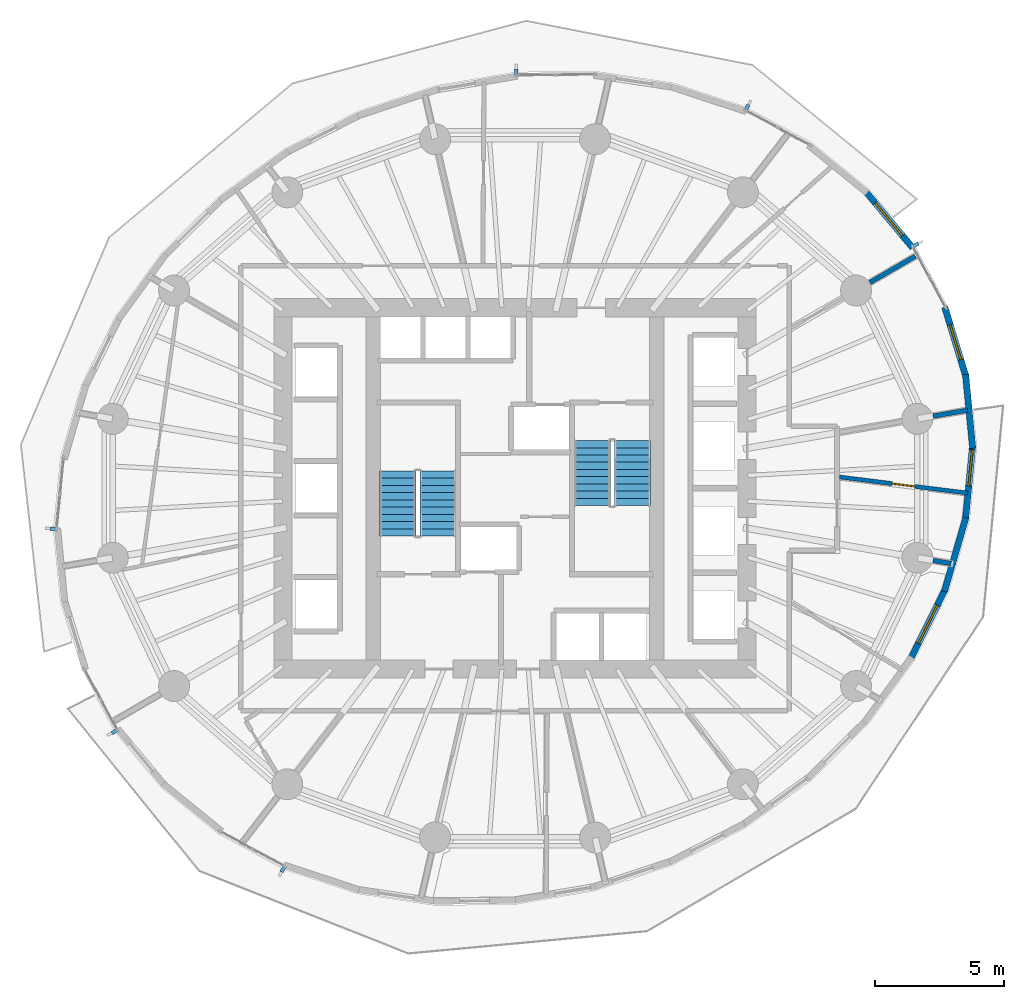
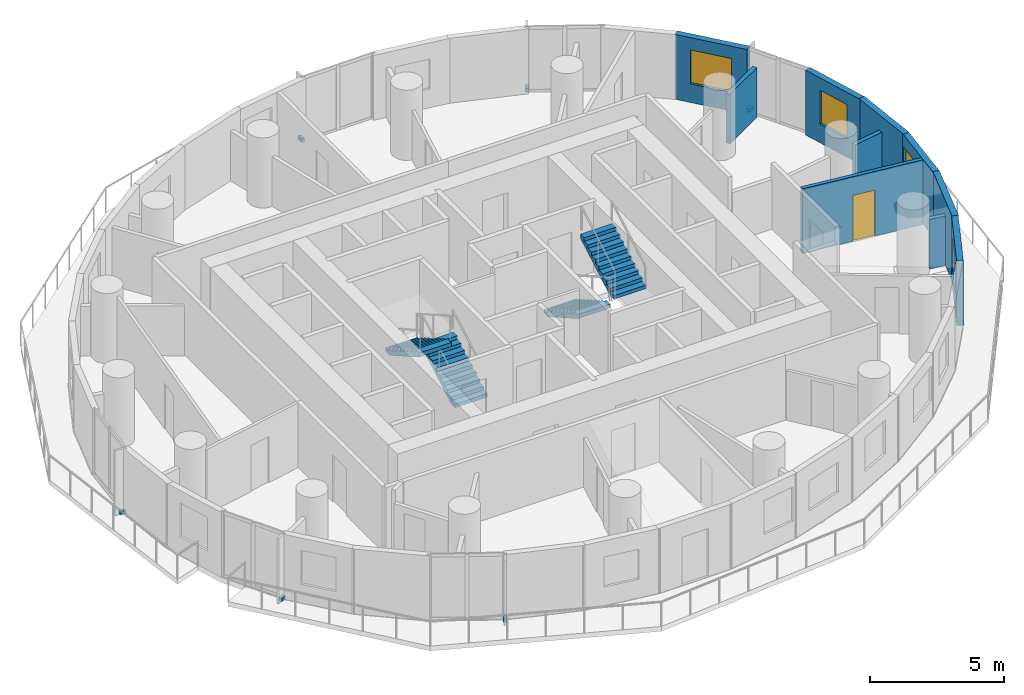
# One storey, part 10 of 14: 10 walls, 6 discrete accessories, 4 stair flights, 4 windows, 1 door, 5 openings, 2 elements without a shape of their own.
"""IFC4 building model written with IfcOpenShell, lengths in metres."""

from ifc_helpers import new_model, si_unit, direction, frame, frame_2d, origin, origin_2d, place, context, subcontext, project, spatial, polyline, rectangle, outline, extrude, material, layer, layer_set, type_object, element, fill, aggregate, save


model = new_model("IFC4")

# Units and contexts
model_context = context("Model", 3, precision=1e-05, world=origin(), true_north=direction((0.0, 1.0)))
body_context = subcontext(model_context, "Body", "Model", "MODEL_VIEW")
ifc_project = project(units=[si_unit("LENGTHUNIT", "METRE"), si_unit("AREAUNIT", "SQUARE_METRE"), si_unit("VOLUMEUNIT", "CUBIC_METRE"), si_unit("PLANEANGLEUNIT", "RADIAN"), si_unit("MASSUNIT", "GRAM", prefix="KILO")], contexts=[model_context])

# Site, building, storey
site_placement = place(None, origin())
site = spatial("IfcSite", under=ifc_project, at=site_placement, CompositionType="ELEMENT")
building_placement = place(site_placement, origin())
building = spatial("IfcBuilding", under=site, at=building_placement, Name="Veldorim Arch Residences", CompositionType="ELEMENT")
storey_placement = place(building_placement, frame((0.0, 0.0, 99.679931640625)))
storey = spatial("IfcBuildingStorey", under=building, at=storey_placement, Name="L29", CompositionType="ELEMENT", Elevation=99.679931640625)

# Walls
ifc_material_1 = material(Name="Lightweight Masonry Block & Gypsum", Category="masonry")
ifc_layer_1 = layer(ifc_material_1, 0.179931640625, Name="Compartment & Corridor Fire-Rated Party Wall 180")
ifc_layer_set_1 = layer_set([ifc_layer_1], Name="Lightweight Masonry Block & Gypsum")
wall_type_1 = type_object("IfcWallType", Name="Compartment & Corridor Fire-Rated Party Wall 180", PredefinedType="PARTITIONING", material=ifc_layer_set_1)
wall_1_placement = place(storey_placement, frame((48.20556640625, 26.797607421875, 0.0), z_axis=(0.0, 0.0, 1.0), x_axis=(0.98540615772, 0.170219576807, 0.0)))
element("IfcWall", 1, at=wall_1_placement, inside=storey, type_object=wall_type_1, Name="L29 interior wall WL-PIER-L29-01", PredefinedType="PARTITIONING", context=body_context, shape_type="SweptSolid", body=[
    extrude(rectangle(XDim=1.359619140625, YDim=0.179931640625, at=frame_2d((0.6796875, 0.0))), origin(), (0.0, 0.0, 1.0), 2.2607421875),
])
wall_2_placement = place(storey_placement, frame((45.756591796875, 31.977783203125, 0.0), z_axis=(0.0, 0.0, 1.0), x_axis=(0.865025978628, 0.501727073516, 0.0)))
element("IfcWall", 2, at=wall_2_placement, inside=storey, type_object=wall_type_1, Name="L29 interior wall WL-PIER-L29-02", PredefinedType="PARTITIONING", context=body_context, shape_type="SweptSolid", body=[
    extrude(rectangle(XDim=2.033447265625, YDim=0.179931640625, at=frame_2d((1.0166015625, 0.0))), origin(), (0.0, 0.0, 1.0), 2.2607421875),
])
wall_3_placement = place(storey_placement, frame((48.20556640625, 21.202392578125, 0.0), z_axis=(0.0, 0.0, 1.0), x_axis=(0.985420399327, -0.17013711115, 0.0)))
element("IfcWall", 3, at=wall_3_placement, inside=storey, type_object=wall_type_1, Name="L29 interior wall WL-PIER-L29-16", PredefinedType="PARTITIONING", context=body_context, shape_type="SweptSolid", body=[
    extrude(rectangle(XDim=0.710205078125, YDim=0.179931640625, at=frame_2d((0.35498046875, 0.0))), origin(), (0.0, 0.0, 1.0), 2.2607421875),
])

# Wall, opening, window
ifc_material_2 = material(Name="Precast concrete C40/50", Category="concrete")
ifc_layer_2 = layer(ifc_material_2, 0.25, Name="Tower Terracotta Spandrel & Pier Wall 250")
ifc_layer_set_2 = layer_set([ifc_layer_2], Name="Precast concrete C40/50")
wall_type_2 = type_object("IfcWallType", Name="Tower Terracotta Spandrel & Pier Wall 250", PredefinedType="SOLIDWALL", material=ifc_layer_set_2)
wall_4_placement = place(storey_placement, frame((45.571533203125, 35.534912109375, 0.0), z_axis=(0.0, 0.0, 1.0), x_axis=(0.640518566271, -0.76794268423, 0.0)))
wall_4 = element("IfcWall", 4, at=wall_4_placement, inside=storey, type_object=wall_type_2, Name="L29 terracotta facade wall 02", PredefinedType="SOLIDWALL", context=body_context, shape_type="SweptSolid", body=[
    extrude(rectangle(XDim=2.8740234375, YDim=0.25, at=frame_2d((1.43701171875, 0.0))), origin(), (0.0, 0.0, 1.0), 2.9599609375),
])
opening_1_placement = place(wall_4_placement, frame((0.612060546875, 0.0, 0.85009765625)))
opening_1 = element("IfcOpeningElement", 5, at=opening_1_placement, cuts=wall_4, Name="Opening WN-03", PredefinedType="OPENING", context=body_context, shape_type="SweptSolid", body=[
    extrude(rectangle(XDim=1.64990234375, YDim=1.550048828125, at=frame_2d((0.824951171875, 0.77490234375))), frame((0.0, 0.135009765625, 0.0), z_axis=(0.0, -1.0, 0.0), x_axis=(1.0, 0.0, 0.0)), (0.0, 0.0, 1.0), 0.27001953125),
])
ifc_material_3 = material(Name="Laminated Low-E Glass", Category="glass")
window_type_1 = type_object("IfcWindowType", Name="Residential Wide Window 1650x1550", PartitioningType="SINGLE_PANEL", PredefinedType="WINDOW", material=ifc_material_3)
window_1_placement = place(opening_1_placement, origin())
window_1 = element("IfcWindow", 6, at=window_1_placement, inside=storey, type_object=window_type_1, Name="L29 solar-control facade window 02", OverallHeight=1.550048828125, OverallWidth=1.64990234375, PartitioningType="SINGLE_PANEL", PredefinedType="WINDOW", context=body_context, shape_type="SweptSolid", body=[
    extrude(rectangle(XDim=1.64990234375, YDim=1.550048828125, at=frame_2d((0.824951171875, 0.77490234375))), frame((0.0, 0.030029296875, 0.0), z_axis=(0.0, -1.0, 0.0), x_axis=(1.0, 0.0, 0.0)), (0.0, 0.0, 1.0), 0.06005859375),
])
fill(opening_1, window_1)

wall_5_placement = place(storey_placement, frame((48.68798828125, 20.100830078125, 0.0), z_axis=(0.0, 0.0, 1.0), x_axis=(-0.443988069997, -0.896032696781, 0.0)))
wall_5 = element("IfcWall", 7, at=wall_5_placement, inside=storey, type_object=wall_type_2, Name="L29 terracotta facade wall 32", PredefinedType="SOLIDWALL", context=body_context, shape_type="SweptSolid", body=[
    extrude(rectangle(XDim=3.060546875, YDim=0.25, at=frame_2d((1.5302734375, 0.0))), origin(), (0.0, 0.0, 1.0), 2.9599609375),
])
opening_2_placement = place(wall_5_placement, frame((0.705078125, 0.0, 0.85009765625)))
opening_2 = element("IfcOpeningElement", 8, at=opening_2_placement, cuts=wall_5, Name="Opening WN-03", PredefinedType="OPENING", context=body_context, shape_type="SweptSolid", body=[
    extrude(rectangle(XDim=1.64990234375, YDim=1.550048828125, at=frame_2d((0.824951171875, 0.77490234375))), frame((0.0, 0.135009765625, 0.0), z_axis=(0.0, -1.0, 0.0), x_axis=(1.0, 0.0, 0.0)), (0.0, 0.0, 1.0), 0.27001953125),
])
window_2_placement = place(opening_2_placement, origin())
window_2 = element("IfcWindow", 9, at=window_2_placement, inside=storey, type_object=window_type_1, Name="L29 solar-control facade window 32", OverallHeight=1.550048828125, OverallWidth=1.64990234375, PartitioningType="SINGLE_PANEL", PredefinedType="WINDOW", context=body_context, shape_type="SweptSolid", body=[
    extrude(rectangle(XDim=1.64990234375, YDim=1.550048828125, at=frame_2d((0.824951171875, 0.77490234375))), frame((0.0, 0.030029296875, 0.0), z_axis=(0.0, -1.0, 0.0), x_axis=(1.0, 0.0, 0.0)), (0.0, 0.0, 1.0), 0.06005859375),
])
fill(opening_2, window_2)

# Wall
wall_6_placement = place(storey_placement, frame((49.4814453125, 22.866455078125, 0.0), z_axis=(0.0, 0.0, 1.0), x_axis=(-0.279152874041, -0.960246672952, 0.0)))
element("IfcWall", 10, at=wall_6_placement, inside=storey, type_object=wall_type_2, Name="L29 terracotta facade wall 33", PredefinedType="SOLIDWALL", context=body_context, shape_type="SweptSolid", body=[
    extrude(rectangle(XDim=2.988525390625, YDim=0.25, at=frame_2d((1.494140625, 0.0))), origin(), (0.0, 0.0, 1.0), 2.9599609375),
])

# Wall, opening, window
wall_7_placement = place(storey_placement, frame((49.743408203125, 25.665283203125, 0.0), z_axis=(0.0, 0.0, 1.0), x_axis=(-0.096873982201, -0.995296655059, 0.0)))
wall_7 = element("IfcWall", 11, at=wall_7_placement, inside=storey, type_object=wall_type_2, Name="L29 terracotta facade wall 34", PredefinedType="SOLIDWALL", context=body_context, shape_type="SweptSolid", body=[
    extrude(rectangle(XDim=2.92333984375, YDim=0.25, at=frame_2d((1.461669921875, 0.0))), origin(), (0.0, 0.0, 1.0), 2.9599609375),
])
opening_3_placement = place(wall_7_placement, frame((0.175048828125, 0.0, 0.85009765625)))
opening_3 = element("IfcOpeningElement", 12, at=opening_3_placement, cuts=wall_7, Name="Opening WN-02", PredefinedType="OPENING", context=body_context, shape_type="SweptSolid", body=[
    extrude(rectangle(XDim=1.39990234375, YDim=1.550048828125, at=frame_2d((0.699951171875, 0.77490234375))), frame((0.0, 0.135009765625, 0.0), z_axis=(0.0, -1.0, 0.0), x_axis=(1.0, 0.0, 0.0)), (0.0, 0.0, 1.0), 0.27001953125),
])
ifc_material_4 = material(Name="Laminated Low-E Glass", Category="glass")
window_type_2 = type_object("IfcWindowType", Name="Residential Casement Window 1400x1550", PartitioningType="SINGLE_PANEL", PredefinedType="WINDOW", material=ifc_material_4)
window_3_placement = place(opening_3_placement, origin())
window_3 = element("IfcWindow", 13, at=window_3_placement, inside=storey, type_object=window_type_2, Name="L29 solar-control facade window 34", OverallHeight=1.550048828125, OverallWidth=1.39990234375, PartitioningType="SINGLE_PANEL", PredefinedType="WINDOW", context=body_context, shape_type="SweptSolid", body=[
    extrude(rectangle(XDim=1.39990234375, YDim=1.550048828125, at=frame_2d((0.699951171875, 0.77490234375))), frame((0.0, 0.030029296875, 0.0), z_axis=(0.0, -1.0, 0.0), x_axis=(1.0, 0.0, 0.0)), (0.0, 0.0, 1.0), 0.06005859375),
])
fill(opening_3, window_3)

# Wall
wall_8_placement = place(storey_placement, frame((49.466552734375, 28.412109375, 0.0), z_axis=(0.0, 0.0, 1.0), x_axis=(0.096332339466, -0.995349225334, 0.0)))
element("IfcWall", 14, at=wall_8_placement, inside=storey, type_object=wall_type_2, Name="L29 terracotta facade wall 35", PredefinedType="SOLIDWALL", context=body_context, shape_type="SweptSolid", body=[
    extrude(rectangle(XDim=2.8740234375, YDim=0.25, at=frame_2d((1.43701171875, 0.0))), origin(), (0.0, 0.0, 1.0), 2.9599609375),
])

# Wall, opening, window
wall_9_placement = place(storey_placement, frame((48.659912109375, 31.0244140625, 0.0), z_axis=(0.0, 0.0, 1.0), x_axis=(0.291144558409, -0.956679071637, 0.0)))
wall_9 = element("IfcWall", 15, at=wall_9_placement, inside=storey, type_object=wall_type_2, Name="L29 terracotta facade wall 36", PredefinedType="SOLIDWALL", context=body_context, shape_type="SweptSolid", body=[
    extrude(rectangle(XDim=2.84765625, YDim=0.25, at=frame_2d((1.423828125, 0.0))), origin(), (0.0, 0.0, 1.0), 2.9599609375),
])
opening_4_placement = place(wall_9_placement, frame((0.72412109375, 0.0, 0.85009765625)))
opening_4 = element("IfcOpeningElement", 16, at=opening_4_placement, cuts=wall_9, Name="Opening WN-02", PredefinedType="OPENING", context=body_context, shape_type="SweptSolid", body=[
    extrude(rectangle(XDim=1.39990234375, YDim=1.550048828125, at=frame_2d((0.699951171875, 0.77490234375))), frame((0.0, 0.135009765625, 0.0), z_axis=(0.0, -1.0, 0.0), x_axis=(1.0, 0.0, 0.0)), (0.0, 0.0, 1.0), 0.27001953125),
])
window_4_placement = place(opening_4_placement, origin())
window_4 = element("IfcWindow", 17, at=window_4_placement, inside=storey, type_object=window_type_2, Name="L29 solar-control facade window 36", OverallHeight=1.550048828125, OverallWidth=1.39990234375, PartitioningType="SINGLE_PANEL", PredefinedType="WINDOW", context=body_context, shape_type="SweptSolid", body=[
    extrude(rectangle(XDim=1.39990234375, YDim=1.550048828125, at=frame_2d((0.699951171875, 0.77490234375))), frame((0.0, 0.030029296875, 0.0), z_axis=(0.0, -1.0, 0.0), x_axis=(1.0, 0.0, 0.0)), (0.0, 0.0, 1.0), 0.06005859375),
])
fill(opening_4, window_4)

# Wall, opening, door
ifc_material_5 = material(Name="Moisture-Resistant Gypsum & Stud", Category="gypsum")
ifc_layer_3 = layer(ifc_material_5, 0.159912109375, Name="Wet-Area Moisture-Resistant Plumbing Wall 160")
ifc_layer_set_3 = layer_set([ifc_layer_3], Name="Moisture-Resistant Gypsum & Stud")
wall_type_3 = type_object("IfcWallType", Name="Wet-Area Moisture-Resistant Plumbing Wall 160", PredefinedType="PLUMBINGWALL", material=ifc_layer_set_3)
wall_10_placement = place(storey_placement, frame((44.5791015625, 24.43798828125, 0.0), z_axis=(0.0, 0.0, 1.0), x_axis=(0.99219440442, -0.124700697023, 0.0)))
wall_10 = element("IfcWall", 18, at=wall_10_placement, inside=storey, type_object=wall_type_3, Name="L29 interior wall WL-RES-L29-017", PredefinedType="PLUMBINGWALL", context=body_context, shape_type="SweptSolid", body=[
    extrude(rectangle(XDim=5.008056640625, YDim=0.159912109375, at=frame_2d((2.50390625, 0.0))), origin(), (0.0, 0.0, 1.0), 2.955078125),
])
opening_5_placement = place(wall_10_placement, frame((2.053955078125, 0.0, 0.0)))
opening_5 = element("IfcOpeningElement", 19, at=opening_5_placement, cuts=wall_10, Name="Opening DR-WC", PredefinedType="OPENING", context=body_context, shape_type="SweptSolid", body=[
    extrude(rectangle(XDim=0.89990234375, YDim=2.10009765625, at=frame_2d((0.449951171875, 1.050048828125))), frame((0.0, 0.08984375, 0.0), z_axis=(0.0, -1.0, 0.0), x_axis=(1.0, 0.0, 0.0)), (0.0, 0.0, 1.0), 0.179931640625),
])
ifc_material_6 = material(Name="Laminate Timber", Category="wood")
door_type = type_object("IfcDoorType", Name="Bathroom & Accessible WC Moisture-Sealed Door 900x2100", OperationType="SINGLE_SWING_LEFT", PredefinedType="DOOR", material=ifc_material_6)
door_placement = place(opening_5_placement, origin())
door = element("IfcDoor", 20, at=door_placement, inside=storey, type_object=door_type, Name="L29 interior door DR-RES-L29-005", OperationType="SINGLE_SWING_LEFT", OverallHeight=2.10009765625, OverallWidth=0.89990234375, PredefinedType="DOOR", context=body_context, shape_type="SweptSolid", body=[
    extrude(rectangle(XDim=0.89990234375, YDim=2.10009765625, at=frame_2d((0.449951171875, 1.050048828125))), frame((0.0, 0.02490234375, 0.0), z_axis=(0.0, -1.0, 0.0), x_axis=(1.0, 0.0, 0.0)), (0.0, 0.0, 1.0), 0.050048828125),
])
fill(opening_5, door)

# Stair, stair flights
ifc_material_7 = material(Name="Concrete C40/50", Category="concrete")
stair_type = type_object("IfcStairType", Name="Reinforced Concrete Dogleg Exit Staircase", PredefinedType="HALF_TURN_STAIR", material=ifc_material_7)
stair_1_placement = place(storey_placement, origin())
stair_1 = element("IfcStair", 21, at=stair_1_placement, inside=storey, type_object=stair_type, Name="L29 Exit Staircase ST-1", PredefinedType="HALF_TURN_STAIR")
ifc_material_8 = material(Name="Concrete C40/50", Category="concrete")
stair_flight_type = type_object("IfcStairFlightType", Name="Reinforced Concrete Stair Flight 1400", PredefinedType="STRAIGHT", material=ifc_material_8)
stair_flight_1_placement = place(storey_placement, frame((29.010009765625, 22.14990234375, 0.0), z_axis=(0.0, 0.0, 1.0), x_axis=(0.0, 1.0, 0.0)))
stair_flight_1 = element("IfcStairFlight", 22, at=stair_flight_1_placement, type_object=stair_flight_type, Name="ST-1 flight 1", NumberOfRisers=10, NumberOfTreads=9, PredefinedType="STRAIGHT", RiserHeight=0.16, TreadLength=0.28, context=body_context, shape_type="SweptSolid", body=[
    extrude(outline(polyline([(0.0, 0.0), (0.0, 0.159912109375), (0.280029296875, 0.159912109375), (0.280029296875, 0.320068359375), (0.56005859375, 0.320068359375), (0.56005859375, 0.47998046875), (0.840087890625, 0.47998046875), (0.840087890625, 0.639892578125), (1.1201171875, 0.639892578125), (1.1201171875, 0.800048828125), (1.39990234375, 0.800048828125), (1.39990234375, 0.9599609375), (1.679931640625, 0.9599609375), (1.679931640625, 1.1201171875), (1.9599609375, 1.1201171875), (1.9599609375, 1.280029296875), (2.239990234375, 1.280029296875), (2.239990234375, 1.43994140625), (2.52001953125, 1.43994140625), (2.52001953125, 1.60009765625), (2.52001953125, 1.255859375), (0.322265625, 0.0), (0.0, 0.0)])), frame((0.0, 0.699951171875, 0.0), z_axis=(0.0, -1.0, 0.0), x_axis=(1.0, 0.0, 0.0)), (0.0, 0.0, 1.0), 1.39990234375),
])
stair_flight_2_placement = place(storey_placement, frame((27.449951171875, 24.669921875, 1.60009765625), z_axis=(0.0, 0.0, 1.0), x_axis=(0.0, -1.0, 0.0)))
stair_flight_2 = element("IfcStairFlight", 23, at=stair_flight_2_placement, type_object=stair_flight_type, Name="ST-1 flight 2", NumberOfRisers=10, NumberOfTreads=9, PredefinedType="STRAIGHT", RiserHeight=0.16, TreadLength=0.28, context=body_context, shape_type="SweptSolid", body=[
    extrude(outline(polyline([(0.0, 0.0), (0.0, 0.159912109375), (0.280029296875, 0.159912109375), (0.280029296875, 0.320068359375), (0.56005859375, 0.320068359375), (0.56005859375, 0.47998046875), (0.840087890625, 0.47998046875), (0.840087890625, 0.639892578125), (1.1201171875, 0.639892578125), (1.1201171875, 0.800048828125), (1.39990234375, 0.800048828125), (1.39990234375, 0.9599609375), (1.679931640625, 0.9599609375), (1.679931640625, 1.1201171875), (1.9599609375, 1.1201171875), (1.9599609375, 1.280029296875), (2.239990234375, 1.280029296875), (2.239990234375, 1.43994140625), (2.52001953125, 1.43994140625), (2.52001953125, 1.60009765625), (2.52001953125, 1.255859375), (0.322265625, 0.0), (0.0, 0.0)])), frame((0.0, 0.699951171875, 0.0), z_axis=(0.0, -1.0, 0.0), x_axis=(1.0, 0.0, 0.0)), (0.0, 0.0, 1.0), 1.39990234375),
])
aggregate(stair_1, [stair_flight_1, stair_flight_2])

stair_2_placement = place(storey_placement, origin())
stair_2 = element("IfcStair", 24, at=stair_2_placement, inside=storey, type_object=stair_type, Name="L29 Exit Staircase ST-2", PredefinedType="HALF_TURN_STAIR")
stair_flight_3_placement = place(storey_placement, frame((34.989990234375, 25.85009765625, 0.0), z_axis=(0.0, 0.0, 1.0), x_axis=(0.0, -1.0, 0.0)))
stair_flight_3 = element("IfcStairFlight", 25, at=stair_flight_3_placement, type_object=stair_flight_type, Name="ST-2 flight 1", NumberOfRisers=10, NumberOfTreads=9, PredefinedType="STRAIGHT", RiserHeight=0.16, TreadLength=0.28, context=body_context, shape_type="SweptSolid", body=[
    extrude(outline(polyline([(0.0, 0.0), (0.0, 0.159912109375), (0.280029296875, 0.159912109375), (0.280029296875, 0.320068359375), (0.56005859375, 0.320068359375), (0.56005859375, 0.47998046875), (0.840087890625, 0.47998046875), (0.840087890625, 0.639892578125), (1.1201171875, 0.639892578125), (1.1201171875, 0.800048828125), (1.39990234375, 0.800048828125), (1.39990234375, 0.9599609375), (1.679931640625, 0.9599609375), (1.679931640625, 1.1201171875), (1.9599609375, 1.1201171875), (1.9599609375, 1.280029296875), (2.239990234375, 1.280029296875), (2.239990234375, 1.43994140625), (2.52001953125, 1.43994140625), (2.52001953125, 1.60009765625), (2.52001953125, 1.255859375), (0.322265625, 0.0), (0.0, 0.0)])), frame((0.0, 0.699951171875, 0.0), z_axis=(0.0, -1.0, 0.0), x_axis=(1.0, 0.0, 0.0)), (0.0, 0.0, 1.0), 1.39990234375),
])
stair_flight_4_placement = place(storey_placement, frame((36.550048828125, 23.330078125, 1.60009765625), z_axis=(0.0, 0.0, 1.0), x_axis=(0.0, 1.0, 0.0)))
stair_flight_4 = element("IfcStairFlight", 26, at=stair_flight_4_placement, type_object=stair_flight_type, Name="ST-2 flight 2", NumberOfRisers=10, NumberOfTreads=9, PredefinedType="STRAIGHT", RiserHeight=0.16, TreadLength=0.28, context=body_context, shape_type="SweptSolid", body=[
    extrude(outline(polyline([(0.0, 0.0), (0.0, 0.159912109375), (0.280029296875, 0.159912109375), (0.280029296875, 0.320068359375), (0.56005859375, 0.320068359375), (0.56005859375, 0.47998046875), (0.840087890625, 0.47998046875), (0.840087890625, 0.639892578125), (1.1201171875, 0.639892578125), (1.1201171875, 0.800048828125), (1.39990234375, 0.800048828125), (1.39990234375, 0.9599609375), (1.679931640625, 0.9599609375), (1.679931640625, 1.1201171875), (1.9599609375, 1.1201171875), (1.9599609375, 1.280029296875), (2.239990234375, 1.280029296875), (2.239990234375, 1.43994140625), (2.52001953125, 1.43994140625), (2.52001953125, 1.60009765625), (2.52001953125, 1.255859375), (0.322265625, 0.0), (0.0, 0.0)])), frame((0.0, 0.699951171875, 0.0), z_axis=(0.0, -1.0, 0.0), x_axis=(1.0, 0.0, 0.0)), (0.0, 0.0, 1.0), 1.39990234375),
])
aggregate(stair_2, [stair_flight_3, stair_flight_4])

# Discrete accessories
ifc_material_9 = material(Name="Stainless Steel", Category="steel")
discrete_accessory_type = type_object("IfcDiscreteAccessoryType", Name="Stainless Steel Facade Fin Anchor Bracket", PredefinedType="BRACKET", material=ifc_material_9)
for number, where, z_axis, x_axis, name in (
    (27, (47.532470703125, 33.43408203125, -0.02001953125), (0.0, 0.0, 1.0), (0.476084726767, -0.879399416044, 0.0), "L29 stainless fin anchor bracket 01"),
    (28, (40.996826171875, 38.768310546875, -0.02001953125), (0.0, 0.0, 1.0), (0.879399416044, -0.476084726767, 0.0), "L29 stainless fin anchor bracket 04"),
    (29, (32.050537109375, 40.14208984375, -0.02001953125), (0.0, 0.0, 1.0), (0.999937615001, 0.011169874929, 0.0), "L29 stainless fin anchor bracket 07"),
    (30, (14.097412109375, 22.427978515625, -0.02001953125), (0.0, 0.0, 1.0), (0.096888076238, 0.995295283161, 0.0), "L29 stainless fin anchor bracket 16"),
    (31, (16.467529296875, 14.56591796875, -0.02001953125), (0.0, 0.0, 1.0), (-0.476084726767, 0.879399416044, 0.0), "L29 stainless fin anchor bracket 19"),
    (32, (23.003173828125, 9.231689453125, -0.02001953125), (0.0, 0.0, 1.0), (-0.879399416044, 0.476084726767, 0.0), "L29 stainless fin anchor bracket 22"),
):
    element("IfcDiscreteAccessory", number, at=place(storey_placement, frame(where, z_axis=z_axis, x_axis=x_axis)), inside=storey, type_object=discrete_accessory_type, Name=name, PredefinedType="BRACKET", context=body_context, shape_type="SweptSolid", body=[
        extrude(rectangle(XDim=0.139892578125, YDim=0.239990234375, at=origin_2d()), origin(), (0.0, 0.0, 1.0), 0.159912109375),
    ])

save(model, "model.ifc")
